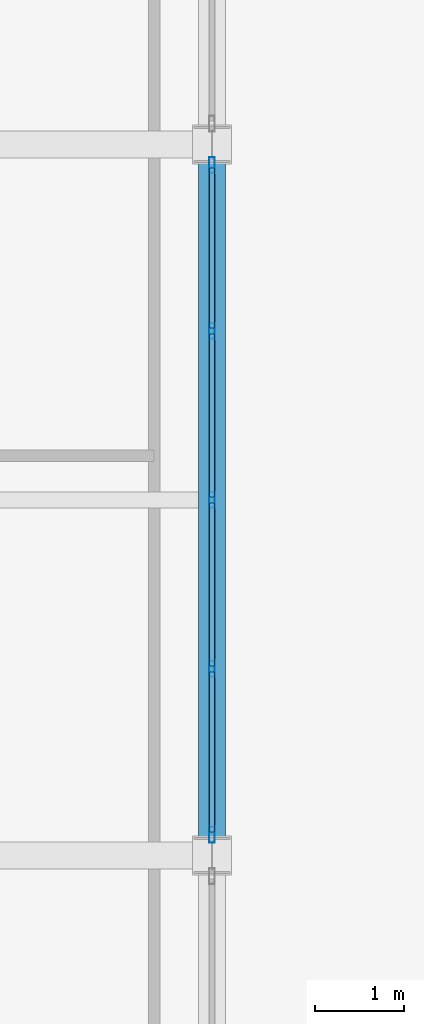
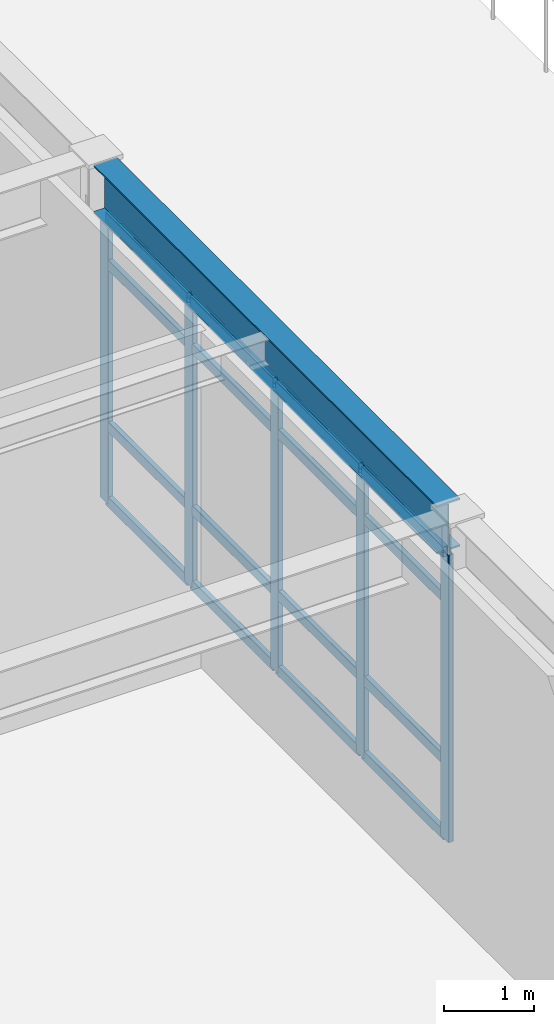
# One storey, part 27 of 93: 21 members, 1 beam, 1 element without a shape of its own.
"""IFC4 building model written with IfcOpenShell, lengths in metres."""

from ifc_helpers import new_model, si_unit, direction, frame, origin, origin_2d, place, context, subcontext, project, spatial, hollow_rectangle, i_section, extrude, material, layer, layer_set, material_profile, profile_set, type_object, element, aggregate, save


model = new_model("IFC4")

# Units and contexts
model_context = context("Model", 3, precision=1e-05, world=origin(), true_north=direction((0.0, 1.0)))
body_context = subcontext(model_context, "Body", "Model", "MODEL_VIEW")
ifc_project = project(units=[si_unit("LENGTHUNIT", "METRE"), si_unit("AREAUNIT", "SQUARE_METRE"), si_unit("VOLUMEUNIT", "CUBIC_METRE"), si_unit("PLANEANGLEUNIT", "RADIAN"), si_unit("MASSUNIT", "GRAM", prefix="KILO")], contexts=[model_context])

# Site, building, storey
site_placement = place(None, origin())
site = spatial("IfcSite", under=ifc_project, at=site_placement, CompositionType="ELEMENT")
building_placement = place(site_placement, origin())
building = spatial("IfcBuilding", under=site, at=building_placement, Name="Kazehara Bluff Congress Hotel", CompositionType="ELEMENT")
storey_placement = place(building_placement, frame((0.0, 0.0, 15.0)))
storey = spatial("IfcBuildingStorey", under=building, at=storey_placement, Name="L03", CompositionType="ELEMENT", Elevation=15.0)

# Curtain wall, members
ifc_material_1 = material(Name="Anodised aluminium", Category="aluminium")
ifc_layer = layer(ifc_material_1, 0.159912109375)
ifc_layer_set = layer_set([ifc_layer], Name="Anodised aluminium")
curtain_wall_type = type_object("IfcCurtainWallType", Name="TP-CW-10", PredefinedType="NOTDEFINED", material=ifc_layer_set)
curtain_wall_placement = place(storey_placement, origin())
curtain_wall = element("IfcCurtainWall", 1, at=curtain_wall_placement, inside=storey, type_object=curtain_wall_type, Name="L03 curtain wall CW-10 CW-V4-L03-X10125-2420", PredefinedType="NOTDEFINED")
ifc_material_2 = material(Name="Anodised aluminium", Category="aluminium")
ifc_material_profile_1 = material_profile(ifc_material_2, hollow_rectangle(XDim=0.06494140625, YDim=0.179931640625, WallThickness=0.00390625, InnerFilletRadius=0.00390625, OuterFilletRadius=0.008056640625, at=origin_2d()))
ifc_profile_set_1 = profile_set([ifc_material_profile_1], Name="Anodised aluminium")
member_type_1 = type_object("IfcMemberType", Name="TP-CWM-02", PredefinedType="MULLION", material=ifc_profile_set_1)
member_1_placement = place(storey_placement, frame((101.25, 24.232421875, 0.0), z_axis=(0.0, 0.0, 1.0), x_axis=(-1.0, 0.0, 0.0)))
member_1 = element("IfcMember", 2, at=member_1_placement, type_object=member_type_1, Name="CW-10 mullion 1", PredefinedType="MULLION", context=body_context, shape_type="SweptSolid", body=[
    extrude(hollow_rectangle(XDim=0.06494140625, YDim=0.179931640625, WallThickness=0.00390625, InnerFilletRadius=0.00390625, OuterFilletRadius=0.008056640625, at=origin_2d()), origin(), (0.0, 0.0, 1.0), 3.885009765625),
])
member_2_placement = place(storey_placement, frame((101.25, 26.10009765625, 0.0), z_axis=(0.0, 0.0, 1.0), x_axis=(-1.0, 0.0, 0.0)))
member_2 = element("IfcMember", 3, at=member_2_placement, type_object=member_type_1, Name="CW-10 mullion 2", PredefinedType="MULLION", context=body_context, shape_type="SweptSolid", body=[
    extrude(hollow_rectangle(XDim=0.06494140625, YDim=0.179931640625, WallThickness=0.00390625, InnerFilletRadius=0.00390625, OuterFilletRadius=0.008056640625, at=origin_2d()), origin(), (0.0, 0.0, 1.0), 3.885009765625),
])
member_3_placement = place(storey_placement, frame((101.25, 28.0, 0.0), z_axis=(0.0, 0.0, 1.0), x_axis=(-1.0, 0.0, 0.0)))
member_3 = element("IfcMember", 4, at=member_3_placement, type_object=member_type_1, Name="CW-10 mullion 3", PredefinedType="MULLION", context=body_context, shape_type="SweptSolid", body=[
    extrude(hollow_rectangle(XDim=0.06494140625, YDim=0.179931640625, WallThickness=0.00390625, InnerFilletRadius=0.00390625, OuterFilletRadius=0.008056640625, at=origin_2d()), origin(), (0.0, 0.0, 1.0), 3.885009765625),
])
member_4_placement = place(storey_placement, frame((101.25, 29.89990234375, 0.0), z_axis=(0.0, 0.0, 1.0), x_axis=(-1.0, 0.0, 0.0)))
member_4 = element("IfcMember", 5, at=member_4_placement, type_object=member_type_1, Name="CW-10 mullion 4", PredefinedType="MULLION", context=body_context, shape_type="SweptSolid", body=[
    extrude(hollow_rectangle(XDim=0.06494140625, YDim=0.179931640625, WallThickness=0.00390625, InnerFilletRadius=0.00390625, OuterFilletRadius=0.008056640625, at=origin_2d()), origin(), (0.0, 0.0, 1.0), 3.885009765625),
])
member_5_placement = place(storey_placement, frame((101.25, 31.767578125, 0.0), z_axis=(0.0, 0.0, 1.0), x_axis=(-1.0, 0.0, 0.0)))
member_5 = element("IfcMember", 6, at=member_5_placement, type_object=member_type_1, Name="CW-10 mullion 5", PredefinedType="MULLION", context=body_context, shape_type="SweptSolid", body=[
    extrude(hollow_rectangle(XDim=0.06494140625, YDim=0.179931640625, WallThickness=0.00390625, InnerFilletRadius=0.00390625, OuterFilletRadius=0.008056640625, at=origin_2d()), origin(), (0.0, 0.0, 1.0), 3.885009765625),
])
ifc_material_3 = material(Name="Anodised aluminium", Category="aluminium")
ifc_material_profile_2 = material_profile(ifc_material_3, hollow_rectangle(XDim=0.06494140625, YDim=0.139892578125, WallThickness=0.00390625, InnerFilletRadius=0.00390625, OuterFilletRadius=0.008056640625, at=origin_2d()))
ifc_profile_set_2 = profile_set([ifc_material_profile_2], Name="Anodised aluminium")
member_type_2 = type_object("IfcMemberType", Name="TP-CWT-02", PredefinedType="USERDEFINED", material=ifc_profile_set_2)
member_6_placement = place(storey_placement, frame((101.25, 24.264892578125, 0.032470703125), z_axis=(0.0, 1.0, 0.0), x_axis=(-1.0, 0.0, 0.0)))
member_6 = element("IfcMember", 7, at=member_6_placement, type_object=member_type_2, Name="CW-10 transom 1.1", ObjectType="TRANSOM", PredefinedType="USERDEFINED", context=body_context, shape_type="SweptSolid", body=[
    extrude(hollow_rectangle(XDim=0.06494140625, YDim=0.139892578125, WallThickness=0.00390625, InnerFilletRadius=0.00390625, OuterFilletRadius=0.008056640625, at=origin_2d()), origin(), (0.0, 0.0, 1.0), 1.802490234375),
])
member_7_placement = place(storey_placement, frame((101.25, 24.264892578125, 1.050048828125), z_axis=(0.0, 1.0, 0.0), x_axis=(-1.0, 0.0, 0.0)))
member_7 = element("IfcMember", 8, at=member_7_placement, type_object=member_type_2, Name="CW-10 transom 1.2", ObjectType="TRANSOM", PredefinedType="USERDEFINED", context=body_context, shape_type="SweptSolid", body=[
    extrude(hollow_rectangle(XDim=0.06494140625, YDim=0.139892578125, WallThickness=0.00390625, InnerFilletRadius=0.00390625, OuterFilletRadius=0.008056640625, at=origin_2d()), origin(), (0.0, 0.0, 1.0), 1.802490234375),
])
member_8_placement = place(storey_placement, frame((101.25, 24.264892578125, 3.235107421875), z_axis=(0.0, 1.0, 0.0), x_axis=(-1.0, 0.0, 0.0)))
member_8 = element("IfcMember", 9, at=member_8_placement, type_object=member_type_2, Name="CW-10 transom 1.3", ObjectType="TRANSOM", PredefinedType="USERDEFINED", context=body_context, shape_type="SweptSolid", body=[
    extrude(hollow_rectangle(XDim=0.06494140625, YDim=0.139892578125, WallThickness=0.00390625, InnerFilletRadius=0.00390625, OuterFilletRadius=0.008056640625, at=origin_2d()), origin(), (0.0, 0.0, 1.0), 1.802490234375),
])
member_9_placement = place(storey_placement, frame((101.25, 24.264892578125, 3.8525390625), z_axis=(0.0, 1.0, 0.0), x_axis=(-1.0, 0.0, 0.0)))
member_9 = element("IfcMember", 10, at=member_9_placement, type_object=member_type_2, Name="CW-10 transom 1.4", ObjectType="TRANSOM", PredefinedType="USERDEFINED", context=body_context, shape_type="SweptSolid", body=[
    extrude(hollow_rectangle(XDim=0.06494140625, YDim=0.139892578125, WallThickness=0.00390625, InnerFilletRadius=0.00390625, OuterFilletRadius=0.008056640625, at=origin_2d()), origin(), (0.0, 0.0, 1.0), 1.802490234375),
])
member_10_placement = place(storey_placement, frame((101.25, 26.132568359375, 0.032470703125), z_axis=(0.0, 1.0, 0.0), x_axis=(-1.0, 0.0, 0.0)))
member_10 = element("IfcMember", 11, at=member_10_placement, type_object=member_type_2, Name="CW-10 transom 2.1", ObjectType="TRANSOM", PredefinedType="USERDEFINED", context=body_context, shape_type="SweptSolid", body=[
    extrude(hollow_rectangle(XDim=0.06494140625, YDim=0.139892578125, WallThickness=0.00390625, InnerFilletRadius=0.00390625, OuterFilletRadius=0.008056640625, at=origin_2d()), origin(), (0.0, 0.0, 1.0), 1.8349609375),
])
member_11_placement = place(storey_placement, frame((101.25, 26.132568359375, 1.050048828125), z_axis=(0.0, 1.0, 0.0), x_axis=(-1.0, 0.0, 0.0)))
member_11 = element("IfcMember", 12, at=member_11_placement, type_object=member_type_2, Name="CW-10 transom 2.2", ObjectType="TRANSOM", PredefinedType="USERDEFINED", context=body_context, shape_type="SweptSolid", body=[
    extrude(hollow_rectangle(XDim=0.06494140625, YDim=0.139892578125, WallThickness=0.00390625, InnerFilletRadius=0.00390625, OuterFilletRadius=0.008056640625, at=origin_2d()), origin(), (0.0, 0.0, 1.0), 1.8349609375),
])
member_12_placement = place(storey_placement, frame((101.25, 26.132568359375, 3.235107421875), z_axis=(0.0, 1.0, 0.0), x_axis=(-1.0, 0.0, 0.0)))
member_12 = element("IfcMember", 13, at=member_12_placement, type_object=member_type_2, Name="CW-10 transom 2.3", ObjectType="TRANSOM", PredefinedType="USERDEFINED", context=body_context, shape_type="SweptSolid", body=[
    extrude(hollow_rectangle(XDim=0.06494140625, YDim=0.139892578125, WallThickness=0.00390625, InnerFilletRadius=0.00390625, OuterFilletRadius=0.008056640625, at=origin_2d()), origin(), (0.0, 0.0, 1.0), 1.8349609375),
])
member_13_placement = place(storey_placement, frame((101.25, 26.132568359375, 3.8525390625), z_axis=(0.0, 1.0, 0.0), x_axis=(-1.0, 0.0, 0.0)))
member_13 = element("IfcMember", 14, at=member_13_placement, type_object=member_type_2, Name="CW-10 transom 2.4", ObjectType="TRANSOM", PredefinedType="USERDEFINED", context=body_context, shape_type="SweptSolid", body=[
    extrude(hollow_rectangle(XDim=0.06494140625, YDim=0.139892578125, WallThickness=0.00390625, InnerFilletRadius=0.00390625, OuterFilletRadius=0.008056640625, at=origin_2d()), origin(), (0.0, 0.0, 1.0), 1.8349609375),
])
member_14_placement = place(storey_placement, frame((101.25, 28.032470703125, 0.032470703125), z_axis=(0.0, 1.0, 0.0), x_axis=(-1.0, 0.0, 0.0)))
member_14 = element("IfcMember", 15, at=member_14_placement, type_object=member_type_2, Name="CW-10 transom 3.1", ObjectType="TRANSOM", PredefinedType="USERDEFINED", context=body_context, shape_type="SweptSolid", body=[
    extrude(hollow_rectangle(XDim=0.06494140625, YDim=0.139892578125, WallThickness=0.00390625, InnerFilletRadius=0.00390625, OuterFilletRadius=0.008056640625, at=origin_2d()), origin(), (0.0, 0.0, 1.0), 1.8349609375),
])
member_15_placement = place(storey_placement, frame((101.25, 28.032470703125, 1.050048828125), z_axis=(0.0, 1.0, 0.0), x_axis=(-1.0, 0.0, 0.0)))
member_15 = element("IfcMember", 16, at=member_15_placement, type_object=member_type_2, Name="CW-10 transom 3.2", ObjectType="TRANSOM", PredefinedType="USERDEFINED", context=body_context, shape_type="SweptSolid", body=[
    extrude(hollow_rectangle(XDim=0.06494140625, YDim=0.139892578125, WallThickness=0.00390625, InnerFilletRadius=0.00390625, OuterFilletRadius=0.008056640625, at=origin_2d()), origin(), (0.0, 0.0, 1.0), 1.8349609375),
])
member_16_placement = place(storey_placement, frame((101.25, 28.032470703125, 3.235107421875), z_axis=(0.0, 1.0, 0.0), x_axis=(-1.0, 0.0, 0.0)))
member_16 = element("IfcMember", 17, at=member_16_placement, type_object=member_type_2, Name="CW-10 transom 3.3", ObjectType="TRANSOM", PredefinedType="USERDEFINED", context=body_context, shape_type="SweptSolid", body=[
    extrude(hollow_rectangle(XDim=0.06494140625, YDim=0.139892578125, WallThickness=0.00390625, InnerFilletRadius=0.00390625, OuterFilletRadius=0.008056640625, at=origin_2d()), origin(), (0.0, 0.0, 1.0), 1.8349609375),
])
member_17_placement = place(storey_placement, frame((101.25, 28.032470703125, 3.8525390625), z_axis=(0.0, 1.0, 0.0), x_axis=(-1.0, 0.0, 0.0)))
member_17 = element("IfcMember", 18, at=member_17_placement, type_object=member_type_2, Name="CW-10 transom 3.4", ObjectType="TRANSOM", PredefinedType="USERDEFINED", context=body_context, shape_type="SweptSolid", body=[
    extrude(hollow_rectangle(XDim=0.06494140625, YDim=0.139892578125, WallThickness=0.00390625, InnerFilletRadius=0.00390625, OuterFilletRadius=0.008056640625, at=origin_2d()), origin(), (0.0, 0.0, 1.0), 1.8349609375),
])
member_18_placement = place(storey_placement, frame((101.25, 29.9326171875, 0.032470703125), z_axis=(0.0, 1.0, 0.0), x_axis=(-1.0, 0.0, 0.0)))
member_18 = element("IfcMember", 19, at=member_18_placement, type_object=member_type_2, Name="CW-10 transom 4.1", ObjectType="TRANSOM", PredefinedType="USERDEFINED", context=body_context, shape_type="SweptSolid", body=[
    extrude(hollow_rectangle(XDim=0.06494140625, YDim=0.139892578125, WallThickness=0.00390625, InnerFilletRadius=0.00390625, OuterFilletRadius=0.008056640625, at=origin_2d()), origin(), (0.0, 0.0, 1.0), 1.802490234375),
])
member_19_placement = place(storey_placement, frame((101.25, 29.9326171875, 1.050048828125), z_axis=(0.0, 1.0, 0.0), x_axis=(-1.0, 0.0, 0.0)))
member_19 = element("IfcMember", 20, at=member_19_placement, type_object=member_type_2, Name="CW-10 transom 4.2", ObjectType="TRANSOM", PredefinedType="USERDEFINED", context=body_context, shape_type="SweptSolid", body=[
    extrude(hollow_rectangle(XDim=0.06494140625, YDim=0.139892578125, WallThickness=0.00390625, InnerFilletRadius=0.00390625, OuterFilletRadius=0.008056640625, at=origin_2d()), origin(), (0.0, 0.0, 1.0), 1.802490234375),
])
member_20_placement = place(storey_placement, frame((101.25, 29.9326171875, 3.235107421875), z_axis=(0.0, 1.0, 0.0), x_axis=(-1.0, 0.0, 0.0)))
member_20 = element("IfcMember", 21, at=member_20_placement, type_object=member_type_2, Name="CW-10 transom 4.3", ObjectType="TRANSOM", PredefinedType="USERDEFINED", context=body_context, shape_type="SweptSolid", body=[
    extrude(hollow_rectangle(XDim=0.06494140625, YDim=0.139892578125, WallThickness=0.00390625, InnerFilletRadius=0.00390625, OuterFilletRadius=0.008056640625, at=origin_2d()), origin(), (0.0, 0.0, 1.0), 1.802490234375),
])
member_21_placement = place(storey_placement, frame((101.25, 29.9326171875, 3.8525390625), z_axis=(0.0, 1.0, 0.0), x_axis=(-1.0, 0.0, 0.0)))
member_21 = element("IfcMember", 22, at=member_21_placement, type_object=member_type_2, Name="CW-10 transom 4.4", ObjectType="TRANSOM", PredefinedType="USERDEFINED", context=body_context, shape_type="SweptSolid", body=[
    extrude(hollow_rectangle(XDim=0.06494140625, YDim=0.139892578125, WallThickness=0.00390625, InnerFilletRadius=0.00390625, OuterFilletRadius=0.008056640625, at=origin_2d()), origin(), (0.0, 0.0, 1.0), 1.802490234375),
])
aggregate(curtain_wall, [member_1, member_2, member_3, member_4, member_5, member_6, member_7, member_8, member_9, member_10, member_11, member_12, member_13, member_14, member_15, member_16, member_17, member_18, member_19, member_20, member_21])

# Beam
ifc_material_4 = material(Name="Steel SN490B", Category="steel")
ifc_material_profile_3 = material_profile(ifc_material_4, i_section(OverallWidth=0.300048828125, OverallDepth=0.64990234375, WebThickness=0.011962890625, FlangeThickness=0.02001953125, FilletRadius=0.012939453125, at=origin_2d()))
ifc_profile_set_3 = profile_set([ifc_material_profile_3], Name="Steel SN490B")
beam_type = type_object("IfcBeamType", Name="TP-G-03", PredefinedType="BEAM", material=ifc_profile_set_3)
beam_placement = place(storey_placement, frame((101.25, 24.199951171875, 4.235107421875), z_axis=(0.0, 1.0, 0.0), x_axis=(-1.0, 0.0, 0.0)))
element("IfcBeam", 23, at=beam_placement, inside=storey, type_object=beam_type, Name="L03 girder G-03 67", PredefinedType="BEAM", context=body_context, shape_type="SweptSolid", body=[
    extrude(i_section(OverallWidth=0.300048828125, OverallDepth=0.64990234375, WebThickness=0.011962890625, FlangeThickness=0.02001953125, FilletRadius=0.012939453125, at=origin_2d()), origin(), (0.0, 0.0, 1.0), 7.60009765625),
])

save(model, "model.ifc")
